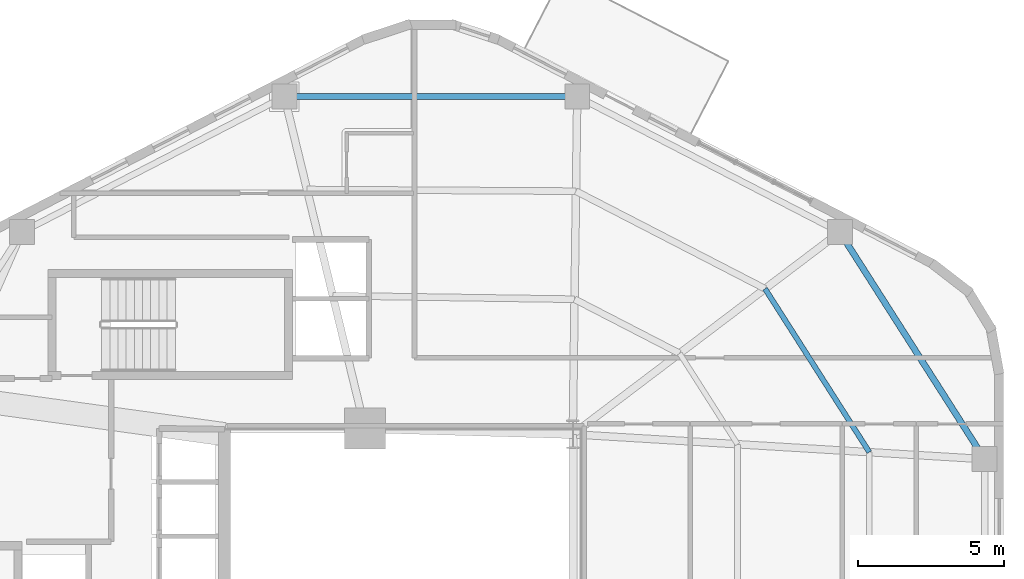
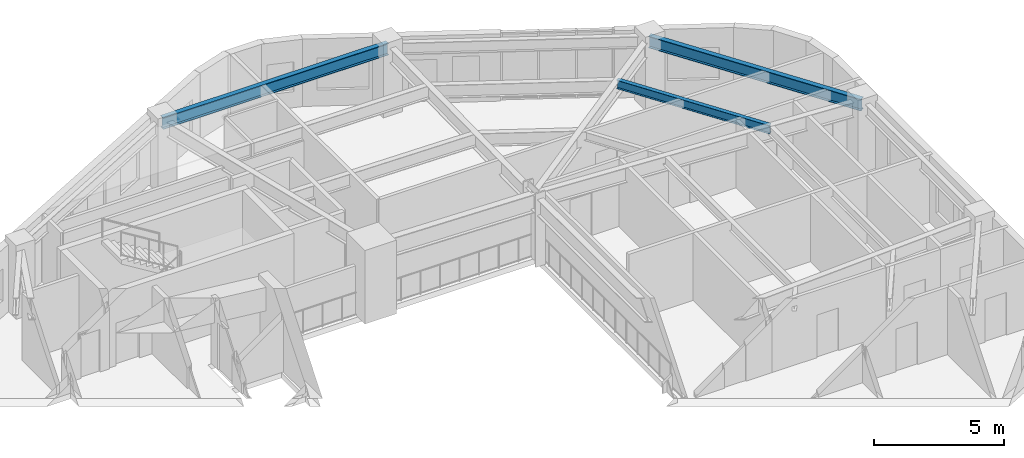
# One storey, part 3 of 11: 3 beams.
"""IFC4 building model written with IfcOpenShell, lengths in metres."""

from ifc_helpers import new_model, si_unit, direction, frame, origin, origin_2d, place, context, subcontext, project, spatial, i_section, extrude, material, material_profile, profile_set, type_object, element, save


model = new_model("IFC4")

# Units and contexts
model_context = context("Model", 3, precision=1e-05, world=origin(), true_north=direction((0.0, 1.0)))
body_context = subcontext(model_context, "Body", "Model", "MODEL_VIEW")
ifc_project = project(units=[si_unit("LENGTHUNIT", "METRE"), si_unit("AREAUNIT", "SQUARE_METRE"), si_unit("VOLUMEUNIT", "CUBIC_METRE"), si_unit("PLANEANGLEUNIT", "RADIAN"), si_unit("MASSUNIT", "GRAM", prefix="KILO"), si_unit("THERMODYNAMICTEMPERATUREUNIT", "KELVIN"), si_unit("POWERUNIT", "WATT")], contexts=[model_context])

# Site, building, storey
site_placement = place(None, origin())
site = spatial("IfcSite", under=ifc_project, at=site_placement, CompositionType="ELEMENT")
building_placement = place(site_placement, origin())
building = spatial("IfcBuilding", under=site, at=building_placement, Name="Skarre Station Tower", CompositionType="ELEMENT")
storey_placement = place(building_placement, frame((0.0, 0.0, 170.550048828125)))
storey = spatial("IfcBuildingStorey", under=building, at=storey_placement, Name="L46", CompositionType="ELEMENT", Elevation=170.550048828125)

# Beams
ifc_material = material(Name="Steel ASTM A992 Grade 50", Category="steel")
ifc_material_profile_1 = material_profile(ifc_material, i_section(OverallWidth=0.177978515625, OverallDepth=0.403076171875, WebThickness=0.008056640625, FlangeThickness=0.010986328125, at=origin_2d()), Name="Steel ASTM A992 Grade 50")
ifc_profile_set_1 = profile_set([ifc_material_profile_1], Name="Steel ASTM A992 Grade 50")
beam_type_1 = type_object("IfcBeamType", Name="Steel Joist W16X36", PredefinedType="JOIST", material=ifc_profile_set_1)
beam_1_placement = place(storey_placement, frame((49.58203125, 28.739013671875, 2.9580078125), z_axis=(-0.537900605588, 0.843008267165, 0.0), x_axis=(-0.843008267165, -0.537900605588, 0.0)))
element("IfcBeam", 1, at=beam_1_placement, inside=storey, type_object=beam_type_1, Name="L46 Auxiliary Composite Joist 14", PredefinedType="JOIST", context=body_context, shape_type="SweptSolid", body=[
    extrude(i_section(OverallWidth=0.177978515625, OverallDepth=0.403076171875, WebThickness=0.008056640625, FlangeThickness=0.010986328125, at=origin_2d()), origin(), (0.0, 0.0, 1.0), 6.623779296875),
])
ifc_material_profile_2 = material_profile(ifc_material, i_section(OverallWidth=0.214111328125, OverallDepth=0.549072265625, WebThickness=0.014892578125, FlangeThickness=0.02392578125, at=origin_2d()), Name="Steel ASTM A992 Grade 50")
ifc_profile_set_2 = profile_set([ifc_material_profile_2], Name="Steel ASTM A992 Grade 50")
beam_type_2 = type_object("IfcBeamType", Name="Steel Spandrel W21X93", PredefinedType="SPANDREL", material=ifc_profile_set_2)
beam_2_placement = place(storey_placement, frame((39.60205078125, 40.887939453125, 2.885986328125), z_axis=(-1.0, 0.0, 0.0), x_axis=(0.0, -1.0, 0.0)))
element("IfcBeam", 2, at=beam_2_placement, inside=storey, type_object=beam_type_2, Name="L46 Facet Spandrel Beam 2", PredefinedType="SPANDREL", context=body_context, shape_type="SweptSolid", body=[
    extrude(i_section(OverallWidth=0.214111328125, OverallDepth=0.549072265625, WebThickness=0.014892578125, FlangeThickness=0.02392578125, at=origin_2d()), origin(), (0.0, 0.0, 1.0), 10.004150390625),
])
beam_3_placement = place(storey_placement, frame((53.52197265625, 28.5009765625, 2.885986328125), z_axis=(-0.537826426158, 0.843055594445, 0.0), x_axis=(-0.843055594445, -0.537826426158, 0.0)))
element("IfcBeam", 3, at=beam_3_placement, inside=storey, type_object=beam_type_2, Name="L46 Facet Spandrel Beam 12", PredefinedType="SPANDREL", context=body_context, shape_type="SweptSolid", body=[
    extrude(i_section(OverallWidth=0.214111328125, OverallDepth=0.549072265625, WebThickness=0.014892578125, FlangeThickness=0.02392578125, at=origin_2d()), origin(), (0.0, 0.0, 1.0), 9.199951171875),
])

save(model, "model.ifc")
